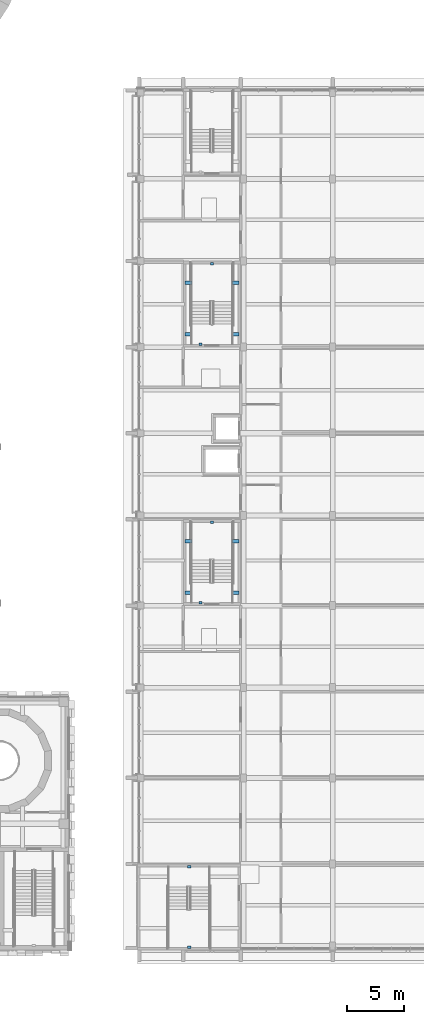
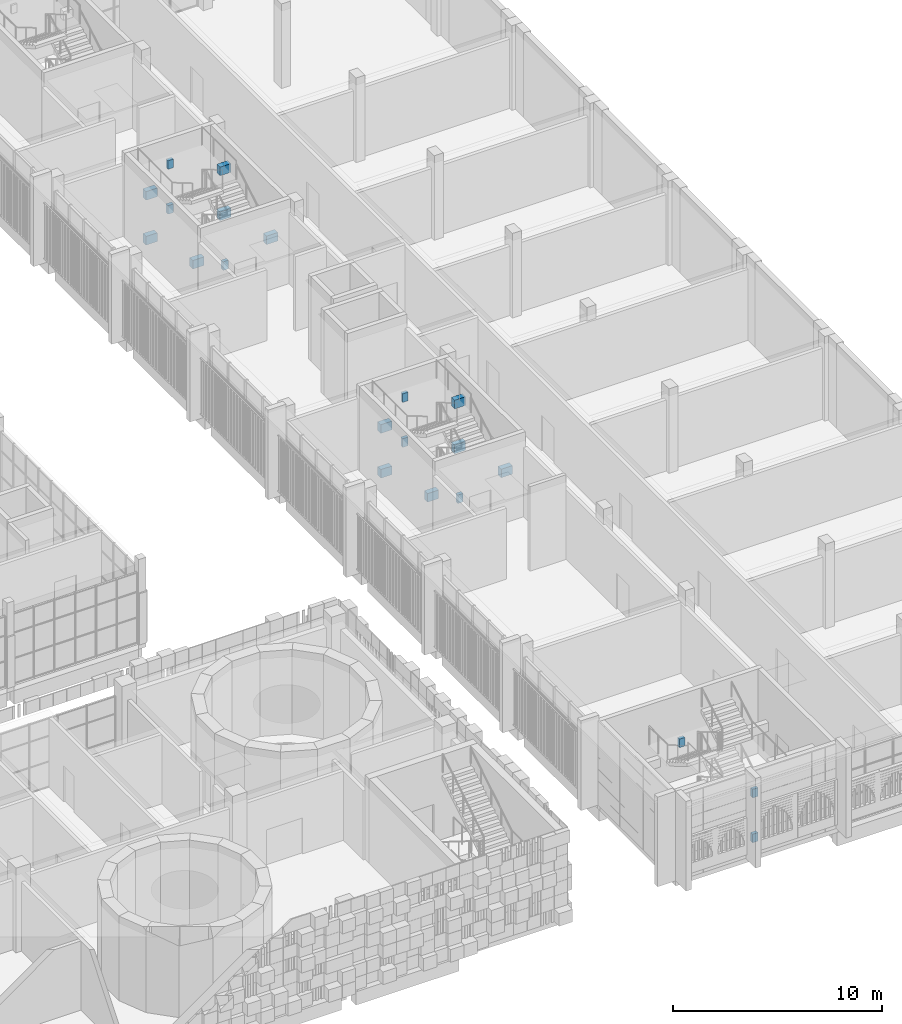
# One storey, part 54 of 125: 21 beams.
"""IFC4 building model written with IfcOpenShell, lengths in metres."""

import ifcopenshell
import ifcopenshell.guid

model = None  # the IFC model being written
_history = None  # IfcOwnerHistory: only IFC2X3 demands one
_inside = {}  # id of a spatial element -> (the spatial element, [elements in it])
_under = {}  # id of a project, library or spatial element -> (it, [spatial elements below it])
_declared = {}  # id of a project -> (the project, [libraries it declares])
_typed = {}  # id of a type object -> (the type object, [elements of that type])
_made_of = {}  # id of a material, layer set ... -> (it, [elements and type objects made of it])


def new_model(schema):
    """Start an empty IFC model of exactly this schema.

    Asked for "IFC4X3", IfcOpenShell would pick the latest addendum, in which some entities
    have other attributes; the version numbers below select the first issue.
    IFC2X3 requires an IfcOwnerHistory on every rooted entity: one is made here for all.
    """
    global model, _history
    if schema == "IFC4X3":
        model = ifcopenshell.file(schema_version=(4, 3, 0, 0))
    else:
        model = ifcopenshell.file(schema=schema)
    _inside.clear()
    _under.clear()
    _declared.clear()
    _typed.clear()
    _made_of.clear()
    _history = None
    if model.schema == "IFC2X3":
        org = make("IfcOrganization", Name="unknown")
        user = make(
            "IfcPersonAndOrganization",
            ThePerson=make("IfcPerson", FamilyName="unknown"),
            TheOrganization=org,
        )
        app = make(
            "IfcApplication",
            ApplicationDeveloper=org,
            Version="unknown",
            ApplicationFullName="unknown",
            ApplicationIdentifier="unknown",
        )
        _history = make(
            "IfcOwnerHistory",
            OwningUser=user,
            OwningApplication=app,
            ChangeAction="ADDED",
            CreationDate=0,
        )
    return model


def make(cls, **values):
    """One entity of the class cls with the attributes given. An attribute that is None is left unset."""
    return model.create_entity(
        cls, **{name: value for name, value in values.items() if value is not None}
    )


def rooted(cls, **values):
    """An entity with a GlobalId (a new one), such as an element, a storey or a relation."""
    return make(cls, GlobalId=ifcopenshell.guid.new(), OwnerHistory=_history, **values)


def si_unit(unit_type, name, prefix=None):
    """IfcSIUnit, for example si_unit("LENGTHUNIT", "METRE", prefix="MILLI")."""
    return make("IfcSIUnit", UnitType=unit_type, Prefix=prefix, Name=name)


def assignment(units):
    """IfcUnitAssignment: the units of a project."""
    return None if units is None else make("IfcUnitAssignment", Units=units)


def point(xyz):
    """IfcCartesianPoint."""
    return None if xyz is None else make("IfcCartesianPoint", Coordinates=xyz)


def direction(xyz):
    """IfcDirection."""
    return None if xyz is None else make("IfcDirection", DirectionRatios=xyz)


def frame(location, z_axis=None, x_axis=None):
    """IfcAxis2Placement3D, a coordinate frame: its origin and axes. An axis left out is left unset."""
    return make(
        "IfcAxis2Placement3D",
        Location=point(location),
        Axis=direction(z_axis),
        RefDirection=direction(x_axis),
    )


def frame_2d(location, x_axis=None):
    """IfcAxis2Placement2D, a coordinate frame in the plane: its origin and x axis."""
    return make(
        "IfcAxis2Placement2D", Location=point(location), RefDirection=direction(x_axis)
    )


def origin():
    """The frame at (0, 0, 0) with its axes left unset."""
    return frame((0.0, 0.0, 0.0))


def origin_2d():
    """The frame at (0, 0) in the plane with its x axis left unset."""
    return frame_2d((0.0, 0.0))


def place(relative_to, where):
    """IfcLocalPlacement: puts the frame where relative to a parent placement (None: the world)."""
    return make(
        "IfcLocalPlacement", PlacementRelTo=relative_to, RelativePlacement=where
    )


def context(
    kind, dimensions, precision=None, world=None, true_north=None, identifier=None
):
    """IfcGeometricRepresentationContext, for example the 3D "Model" context."""
    return make(
        "IfcGeometricRepresentationContext",
        ContextIdentifier=identifier,
        ContextType=kind,
        CoordinateSpaceDimension=dimensions,
        Precision=precision,
        WorldCoordinateSystem=world,
        TrueNorth=true_north,
    )


def subcontext(parent, identifier, kind, view, scale=None):
    """IfcGeometricRepresentationSubContext, for example "Body" below "Model"."""
    return make(
        "IfcGeometricRepresentationSubContext",
        ContextIdentifier=identifier,
        ContextType=kind,
        ParentContext=parent,
        TargetScale=scale,
        TargetView=view,
    )


def project(units=None, contexts=None):
    """IfcProject with its units and contexts."""
    return rooted(
        "IfcProject",
        Name="project",
        RepresentationContexts=contexts,
        UnitsInContext=assignment(units),
    )


def spatial(cls, under=None, at=None, **own):
    """A site, building, storey or space (cls), placed at a placement, below another one or the project."""
    s = rooted(cls, ObjectPlacement=at, **own)
    if under is not None:
        _under.setdefault(under.id(), (under, []))[1].append(s)
    return s


def profile(cls, at=None, kind="AREA", **sizes):
    """A parametric profile (cls). Its sizes go by their IFC names, for example OverallWidth=200.0."""
    return make(cls, ProfileType=kind, Position=at, **sizes)


def rectangle(**sizes):
    """IfcRectangleProfileDef."""
    return profile("IfcRectangleProfileDef", **sizes)


def extrude(swept, where, along, depth):
    """IfcExtrudedAreaSolid: the profile swept, set in the frame where, extruded along a direction by depth."""
    return make(
        "IfcExtrudedAreaSolid",
        SweptArea=swept,
        Position=where,
        ExtrudedDirection=direction(along),
        Depth=depth,
    )


def shape(context_of_items, identifier, shape_type, items):
    """IfcShapeRepresentation: the items that make up one representation, for example the "Body"."""
    return make(
        "IfcShapeRepresentation",
        ContextOfItems=context_of_items,
        RepresentationIdentifier=identifier,
        RepresentationType=shape_type,
        Items=items,
    )


def material(Name=None, Category=None):
    """IfcMaterial."""
    return make("IfcMaterial", Name=Name, Category=Category)


def material_profile(
    of_material, cross_section, Name=None, Category=None, Priority=None
):
    """IfcMaterialProfile: a cross section and its material."""
    return make(
        "IfcMaterialProfile",
        Name=Name,
        Material=of_material,
        Profile=cross_section,
        Priority=Priority,
        Category=Category,
    )


def profile_set(profiles, Name=None, composite=None):
    """IfcMaterialProfileSet."""
    return make(
        "IfcMaterialProfileSet",
        Name=Name,
        MaterialProfiles=profiles,
        CompositeProfile=composite,
    )


def made_of(thing, what):
    """Note that an element or type object is made of a material, layer set ...; save() writes the relation."""
    if what is not None:
        _made_of.setdefault(what.id(), (what, []))[1].append(thing)
    return thing


def type_object(cls, material=None, **own):
    """A type object (cls), such as IfcWallType, which elements share."""
    return made_of(rooted(cls, **own), material)


def element(
    cls,
    number,
    at=None,
    inside=None,
    cuts=None,
    type_object=None,
    material=None,
    context=None,
    identifier="Body",
    shape_type=None,
    held_by="IfcProductDefinitionShape",
    body=None,
    shapes=None,
    **own,
):
    """One element of the class cls, such as IfcWall. Its Tag is "e" and its number.

    at: its placement. inside: the storey or other place that contains it. cuts: it is an
    opening in that element (IfcRelVoidsElement). A single representation is given by context,
    identifier, shape_type and body (its items); several are given by shapes. held_by: the class
    of the entity that holds the representations. save() writes the other relations.
    """
    e = rooted(cls, Tag="e%d" % number, ObjectPlacement=at, **own)
    if body is not None:
        shapes = [shape(context, identifier, shape_type, body)]
    if shapes is not None:
        e.Representation = make(held_by, Representations=shapes)
    if inside is not None:
        _inside.setdefault(inside.id(), (inside, []))[1].append(e)
    if cuts is not None:
        rooted(
            "IfcRelVoidsElement", RelatingBuildingElement=cuts, RelatedOpeningElement=e
        )
    if type_object is not None:
        _typed.setdefault(type_object.id(), (type_object, []))[1].append(e)
    return made_of(e, material)


def aggregate(whole, parts):
    """IfcRelAggregates: a whole, such as a stair, and the parts it consists of."""
    return rooted("IfcRelAggregates", RelatingObject=whole, RelatedObjects=parts)


def save(model, path):
    """Write the relations noted so far, then the file.

    IfcRelAggregates (storeys below a building ...), IfcRelContainedInSpatialStructure (elements
    in a storey), IfcRelDefinesByType, IfcRelAssociatesMaterial and IfcRelDeclares: one each for
    every whole, place, type object, material and project.
    """
    for whole, parts in _under.values():
        aggregate(whole, parts)
    for where, things in _inside.values():
        rooted(
            "IfcRelContainedInSpatialStructure",
            RelatedElements=things,
            RelatingStructure=where,
        )
    for kind, things in _typed.values():
        rooted("IfcRelDefinesByType", RelatedObjects=things, RelatingType=kind)
    for what, things in _made_of.values():
        rooted("IfcRelAssociatesMaterial", RelatedObjects=things, RelatingMaterial=what)
    for by, libraries in _declared.values():
        rooted("IfcRelDeclares", RelatingContext=by, RelatedDefinitions=libraries)
    model.write(path)


model = new_model("IFC4")

# Units and contexts
model_context = context("Model", 3, precision=1e-05, world=origin(), true_north=direction((0.0, 1.0)))
body_context = subcontext(model_context, "Body", "Model", "MODEL_VIEW")
ifc_project = project(units=[si_unit("LENGTHUNIT", "METRE"), si_unit("AREAUNIT", "SQUARE_METRE"), si_unit("VOLUMEUNIT", "CUBIC_METRE"), si_unit("PLANEANGLEUNIT", "RADIAN"), si_unit("MASSUNIT", "GRAM", prefix="KILO")], contexts=[model_context])

# Site, building, storey
site_placement = place(None, origin())
site = spatial("IfcSite", under=ifc_project, at=site_placement, CompositionType="ELEMENT")
building_placement = place(site_placement, origin())
building = spatial("IfcBuilding", under=site, at=building_placement, Name="Sun Court Science Centre", CompositionType="ELEMENT")
storey_placement = place(building_placement, frame((0.0, 0.0, 6.0)))
storey = spatial("IfcBuildingStorey", under=building, at=storey_placement, Name="L01", CompositionType="ELEMENT", Elevation=6.0)

# Beams
ifc_material = material(Name="Concrete C25/30", Category="concrete")
ifc_material_profile = material_profile(ifc_material, rectangle(XDim=0.300048828125, YDim=0.5, at=origin_2d()), Name="RC 300x500")
ifc_profile_set = profile_set([ifc_material_profile], Name="Concrete C25/30")
beam_type = type_object("IfcBeamType", Name="RC landing trimmer 300x500", PredefinedType="BEAM", material=ifc_profile_set)
for number, where, z_axis, x_axis, name in (
    (1, (82.5, 6.14990234375, 0.862548828125), (0.0, 1.0, 0.0), (-1.0, 0.0, 0.0), "SL1 landing 1 trimmer beam 12"),
    (2, (82.5, 13.35009765625, 2.175048828125), (0.0, -1.0, 0.0), (1.0, 0.0, 0.0), "SL1 landing 2 trimmer beam 15"),
    (3, (82.5, 6.14990234375, 3.487548828125), (0.0, 1.0, 0.0), (-1.0, 0.0, 0.0), "SL1 landing 3 trimmer beam 18"),
):
    element("IfcBeam", number, at=place(storey_placement, frame(where, z_axis=z_axis, x_axis=x_axis)), inside=storey, type_object=beam_type, Name=name, PredefinedType="BEAM", context=body_context, shape_type="SweptSolid", body=[
        extrude(rectangle(XDim=0.300048828125, YDim=0.5, at=origin_2d()), origin(), (0.0, 0.0, 1.0), 0.190185546875),
    ])
for number, where, z_axis, x_axis, name in (
    (4, (86.85009765625, 41.60400390625, 0.862548828125), (-1.0, 0.0, 0.0), (0.0, -1.0, 0.0), "SL2 landing 1 trimmer beam 10"),
    (5, (82.14990234375, 41.60400390625, 0.862548828125), (1.0, 0.0, 0.0), (0.0, 1.0, 0.0), "SL2 landing 1 trimmer beam 11"),
):
    element("IfcBeam", number, at=place(storey_placement, frame(where, z_axis=z_axis, x_axis=x_axis)), inside=storey, type_object=beam_type, Name=name, PredefinedType="BEAM", context=body_context, shape_type="SweptSolid", body=[
        extrude(rectangle(XDim=0.300048828125, YDim=0.5, at=origin_2d()), origin(), (0.0, 0.0, 1.0), 0.6171875),
    ])
beam_1_placement = place(storey_placement, frame((84.5, 43.35009765625, 0.862548828125), z_axis=(0.0, -1.0, 0.0), x_axis=(1.0, 0.0, 0.0)))
element("IfcBeam", 6, at=beam_1_placement, inside=storey, type_object=beam_type, Name="SL2 landing 1 trimmer beam 12", PredefinedType="BEAM", context=body_context, shape_type="SweptSolid", body=[
    extrude(rectangle(XDim=0.300048828125, YDim=0.5, at=origin_2d()), origin(), (0.0, 0.0, 1.0), 0.190185546875),
])
for number, where, z_axis, x_axis, name in (
    (7, (86.85009765625, 37.1240234375, 2.175048828125), (-1.0, 0.0, 0.0), (0.0, -1.0, 0.0), "SL2 landing 2 trimmer beam 13"),
    (8, (82.14990234375, 37.1240234375, 2.175048828125), (1.0, 0.0, 0.0), (0.0, 1.0, 0.0), "SL2 landing 2 trimmer beam 14"),
):
    element("IfcBeam", number, at=place(storey_placement, frame(where, z_axis=z_axis, x_axis=x_axis)), inside=storey, type_object=beam_type, Name=name, PredefinedType="BEAM", context=body_context, shape_type="SweptSolid", body=[
        extrude(rectangle(XDim=0.300048828125, YDim=0.5, at=origin_2d()), origin(), (0.0, 0.0, 1.0), 0.6171875),
    ])
beam_2_placement = place(storey_placement, frame((83.5, 36.14990234375, 2.175048828125), z_axis=(0.0, 1.0, 0.0), x_axis=(-1.0, 0.0, 0.0)))
element("IfcBeam", 9, at=beam_2_placement, inside=storey, type_object=beam_type, Name="SL2 landing 2 trimmer beam 15", PredefinedType="BEAM", context=body_context, shape_type="SweptSolid", body=[
    extrude(rectangle(XDim=0.300048828125, YDim=0.5, at=origin_2d()), origin(), (0.0, 0.0, 1.0), 0.190185546875),
])
for number, where, z_axis, x_axis, name in (
    (10, (86.85009765625, 41.60400390625, 3.487548828125), (-1.0, 0.0, 0.0), (0.0, -1.0, 0.0), "SL2 landing 3 trimmer beam 16"),
    (11, (82.14990234375, 41.60400390625, 3.487548828125), (1.0, 0.0, 0.0), (0.0, 1.0, 0.0), "SL2 landing 3 trimmer beam 17"),
):
    element("IfcBeam", number, at=place(storey_placement, frame(where, z_axis=z_axis, x_axis=x_axis)), inside=storey, type_object=beam_type, Name=name, PredefinedType="BEAM", context=body_context, shape_type="SweptSolid", body=[
        extrude(rectangle(XDim=0.300048828125, YDim=0.5, at=origin_2d()), origin(), (0.0, 0.0, 1.0), 0.6171875),
    ])
beam_3_placement = place(storey_placement, frame((84.5, 43.35009765625, 3.487548828125), z_axis=(0.0, -1.0, 0.0), x_axis=(1.0, 0.0, 0.0)))
element("IfcBeam", 12, at=beam_3_placement, inside=storey, type_object=beam_type, Name="SL2 landing 3 trimmer beam 18", PredefinedType="BEAM", context=body_context, shape_type="SweptSolid", body=[
    extrude(rectangle(XDim=0.300048828125, YDim=0.5, at=origin_2d()), origin(), (0.0, 0.0, 1.0), 0.190185546875),
])
for number, where, z_axis, x_axis, name in (
    (13, (86.85009765625, 64.10400390625, 0.862548828125), (-1.0, 0.0, 0.0), (0.0, -1.0, 0.0), "SL3 landing 1 trimmer beam 10"),
    (14, (82.14990234375, 64.10400390625, 0.862548828125), (1.0, 0.0, 0.0), (0.0, 1.0, 0.0), "SL3 landing 1 trimmer beam 11"),
):
    element("IfcBeam", number, at=place(storey_placement, frame(where, z_axis=z_axis, x_axis=x_axis)), inside=storey, type_object=beam_type, Name=name, PredefinedType="BEAM", context=body_context, shape_type="SweptSolid", body=[
        extrude(rectangle(XDim=0.300048828125, YDim=0.5, at=origin_2d()), origin(), (0.0, 0.0, 1.0), 0.6171875),
    ])
beam_4_placement = place(storey_placement, frame((84.5, 65.85009765625, 0.862548828125), z_axis=(0.0, -1.0, 0.0), x_axis=(1.0, 0.0, 0.0)))
element("IfcBeam", 15, at=beam_4_placement, inside=storey, type_object=beam_type, Name="SL3 landing 1 trimmer beam 12", PredefinedType="BEAM", context=body_context, shape_type="SweptSolid", body=[
    extrude(rectangle(XDim=0.300048828125, YDim=0.5, at=origin_2d()), origin(), (0.0, 0.0, 1.0), 0.190185546875),
])
for number, where, z_axis, x_axis, name in (
    (16, (86.85009765625, 59.6240234375, 2.175048828125), (-1.0, 0.0, 0.0), (0.0, -1.0, 0.0), "SL3 landing 2 trimmer beam 13"),
    (17, (82.14990234375, 59.6240234375, 2.175048828125), (1.0, 0.0, 0.0), (0.0, 1.0, 0.0), "SL3 landing 2 trimmer beam 14"),
):
    element("IfcBeam", number, at=place(storey_placement, frame(where, z_axis=z_axis, x_axis=x_axis)), inside=storey, type_object=beam_type, Name=name, PredefinedType="BEAM", context=body_context, shape_type="SweptSolid", body=[
        extrude(rectangle(XDim=0.300048828125, YDim=0.5, at=origin_2d()), origin(), (0.0, 0.0, 1.0), 0.6171875),
    ])
beam_5_placement = place(storey_placement, frame((83.5, 58.64990234375, 2.175048828125), z_axis=(0.0, 1.0, 0.0), x_axis=(-1.0, 0.0, 0.0)))
element("IfcBeam", 18, at=beam_5_placement, inside=storey, type_object=beam_type, Name="SL3 landing 2 trimmer beam 15", PredefinedType="BEAM", context=body_context, shape_type="SweptSolid", body=[
    extrude(rectangle(XDim=0.300048828125, YDim=0.5, at=origin_2d()), origin(), (0.0, 0.0, 1.0), 0.190185546875),
])
for number, where, z_axis, x_axis, name in (
    (19, (86.85009765625, 64.10400390625, 3.487548828125), (-1.0, 0.0, 0.0), (0.0, -1.0, 0.0), "SL3 landing 3 trimmer beam 16"),
    (20, (82.14990234375, 64.10400390625, 3.487548828125), (1.0, 0.0, 0.0), (0.0, 1.0, 0.0), "SL3 landing 3 trimmer beam 17"),
):
    element("IfcBeam", number, at=place(storey_placement, frame(where, z_axis=z_axis, x_axis=x_axis)), inside=storey, type_object=beam_type, Name=name, PredefinedType="BEAM", context=body_context, shape_type="SweptSolid", body=[
        extrude(rectangle(XDim=0.300048828125, YDim=0.5, at=origin_2d()), origin(), (0.0, 0.0, 1.0), 0.6171875),
    ])
beam_6_placement = place(storey_placement, frame((84.5, 65.85009765625, 3.487548828125), z_axis=(0.0, -1.0, 0.0), x_axis=(1.0, 0.0, 0.0)))
element("IfcBeam", 21, at=beam_6_placement, inside=storey, type_object=beam_type, Name="SL3 landing 3 trimmer beam 18", PredefinedType="BEAM", context=body_context, shape_type="SweptSolid", body=[
    extrude(rectangle(XDim=0.300048828125, YDim=0.5, at=origin_2d()), origin(), (0.0, 0.0, 1.0), 0.190185546875),
])

save(model, "model.ifc")
